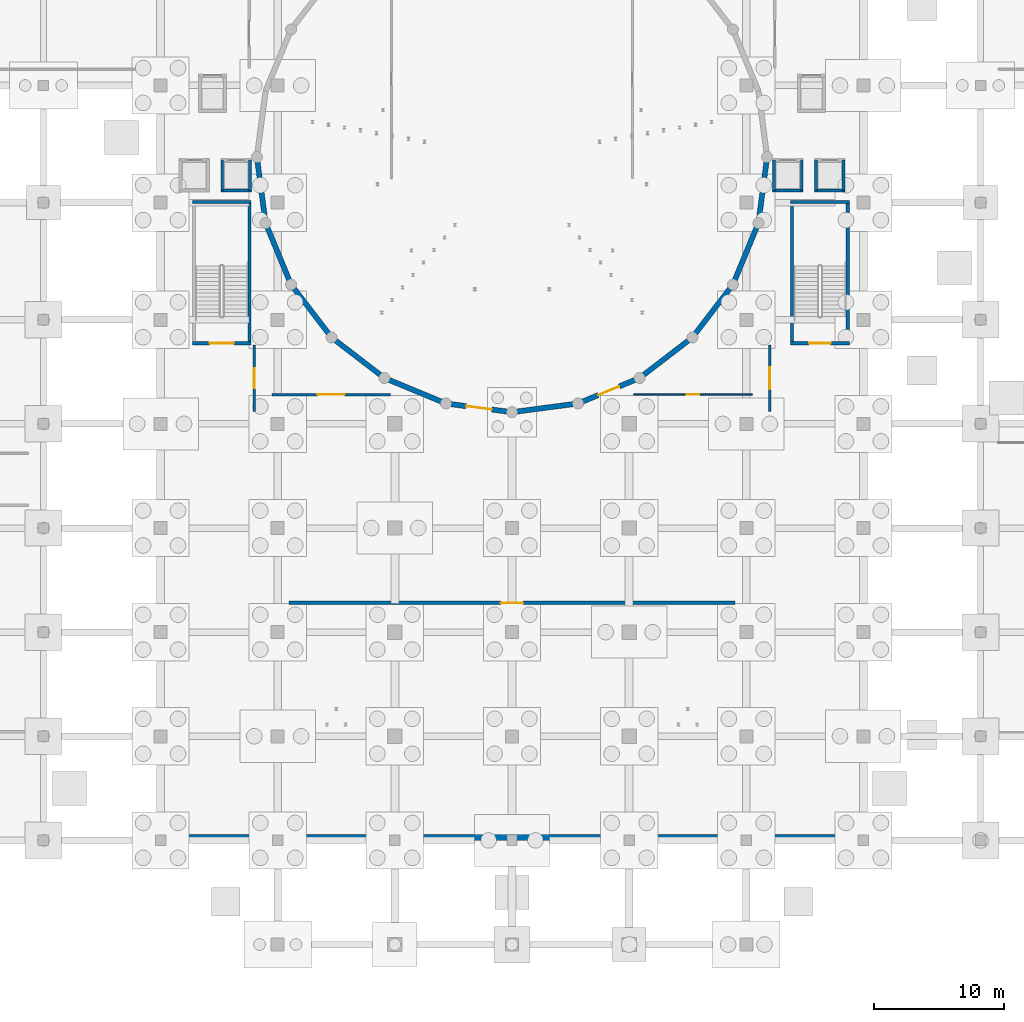
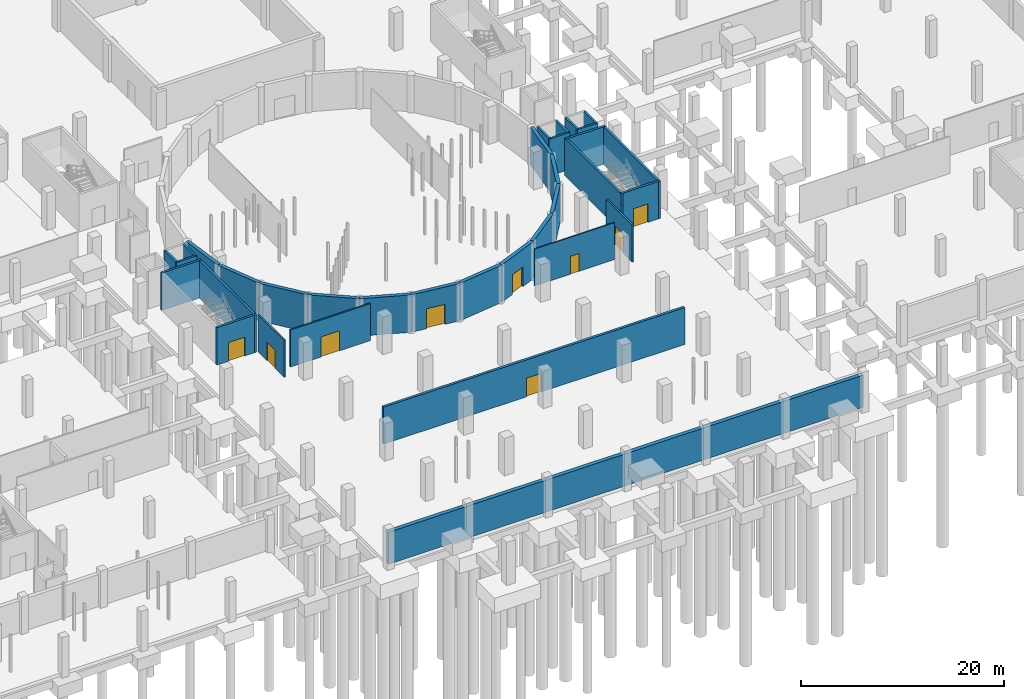
# One storey, part 28 of 40: 34 walls, 9 doors, 9 openings.
"""IFC4 building model written with IfcOpenShell, lengths in metres."""

from ifc_helpers import new_model, si_unit, direction, frame, frame_2d, origin, place, context, subcontext, project, spatial, rectangle, extrude, material, layer, layer_set, type_object, element, fill, save


model = new_model("IFC4")

# Units and contexts
model_context = context("Model", 3, precision=1e-05, world=origin(), true_north=direction((0.0, 1.0)))
body_context = subcontext(model_context, "Body", "Model", "MODEL_VIEW")
ifc_project = project(units=[si_unit("LENGTHUNIT", "METRE"), si_unit("AREAUNIT", "SQUARE_METRE"), si_unit("VOLUMEUNIT", "CUBIC_METRE"), si_unit("PLANEANGLEUNIT", "RADIAN"), si_unit("MASSUNIT", "GRAM", prefix="KILO")], contexts=[model_context])

# Site, building, storey
site_placement = place(None, origin())
site = spatial("IfcSite", under=ifc_project, at=site_placement, CompositionType="ELEMENT")
building_placement = place(site_placement, origin())
building = spatial("IfcBuilding", under=site, at=building_placement, Name="Marnock Terrace Opera House", CompositionType="ELEMENT")
storey_placement = place(building_placement, frame((0.0, 0.0, -4.800048828125)))
storey = spatial("IfcBuildingStorey", under=building, at=storey_placement, Name="B1", CompositionType="ELEMENT", Elevation=-4.800048828125)

# Wall, opening, door
ifc_material_1 = material(Name="Double-stud acoustic plasterboard with mineral-wool infill")
ifc_layer_1 = layer(ifc_material_1, 0.280029296875)
ifc_layer_set_1 = layer_set([ifc_layer_1], Name="Double-stud acoustic plasterboard with mineral-wool infill")
wall_type_1 = type_object("IfcWallType", Name="IW-ACOUSTIC-280", PredefinedType="PARTITIONING", material=ifc_layer_set_1)
wall_1_placement = place(storey_placement, frame((64.85009765625, 26.25, 0.0), z_axis=(0.0, 0.0, 1.0), x_axis=(1.0, 0.0, 0.0)))
wall_1 = element("IfcWall", 1, at=wall_1_placement, inside=storey, type_object=wall_type_1, Name="B1 Central Acoustic Chiller Plant Room acoustic partition wall", PredefinedType="PARTITIONING", context=body_context, shape_type="SweptSolid", body=[
    extrude(rectangle(XDim=34.2998046875, YDim=0.280029296875, at=frame_2d((17.14990234375, 0.0))), origin(), (0.0, 0.0, 1.0), 4.449951171875),
])
opening_1_placement = place(wall_1_placement, frame((16.300048828125, 0.0, 0.0)))
opening_1 = element("IfcOpeningElement", 2, at=opening_1_placement, cuts=wall_1, Name="Opening D-B1-07", PredefinedType="OPENING", context=body_context, shape_type="SweptSolid", body=[
    extrude(rectangle(XDim=1.699951171875, YDim=2.25, at=frame_2d((0.85009765625, 1.125))), frame((0.0, 0.14990234375, 0.0), z_axis=(0.0, -1.0, 0.0), x_axis=(1.0, 0.0, 0.0)), (0.0, 0.0, 1.0), 0.300048828125),
])
ifc_material_2 = material(Name="Fire-rated acoustic timber-core door assembly", Category="wood")
door_type_1 = type_object("IfcDoorType", Name="DT-PLANT-1700", OperationType="NOTDEFINED", PredefinedType="DOOR", material=ifc_material_2)
door_1_placement = place(opening_1_placement, origin())
door_1 = element("IfcDoor", 3, at=door_1_placement, inside=storey, type_object=door_type_1, Name="B1 Central Acoustic Chiller Plant Room entrance door", OperationType="SINGLE_SWING_RIGHT", OverallHeight=2.25, OverallWidth=1.699951171875, PredefinedType="DOOR", context=body_context, shape_type="SweptSolid", body=[
    extrude(rectangle(XDim=1.699951171875, YDim=2.25, at=frame_2d((0.85009765625, 1.125))), frame((0.0, 0.02490234375, 0.0), z_axis=(0.0, -1.0, 0.0), x_axis=(1.0, 0.0, 0.0)), (0.0, 0.0, 1.0), 0.050048828125),
])
fill(opening_1, door_1)

ifc_material_3 = material(Name="Rendered acoustic concrete blockwork", Category="masonry")
ifc_layer_2 = layer(ifc_material_3, 0.175048828125)
ifc_layer_set_2 = layer_set([ifc_layer_2], Name="Rendered acoustic concrete blockwork")
wall_type_2 = type_object("IfcWallType", Name="IW-FIRE-175", PredefinedType="PARTITIONING", material=ifc_layer_set_2)
wall_2_placement = place(storey_placement, frame((62.199951171875, 40.949951171875, 0.0), z_axis=(0.0, 0.0, 1.0), x_axis=(0.0, 1.0, 0.0)))
wall_2 = element("IfcWall", 4, at=wall_2_placement, inside=storey, type_object=wall_type_2, Name="B1 C1 fire-rated lift and stair lobby wall", PredefinedType="PARTITIONING", context=body_context, shape_type="SweptSolid", body=[
    extrude(rectangle(XDim=5.10009765625, YDim=0.175048828125, at=frame_2d((2.550048828125, 0.0))), origin(), (0.0, 0.0, 1.0), 4.449951171875),
])
opening_2_placement = place(wall_2_placement, frame((1.77490234375, 0.0, 0.0)))
opening_2 = element("IfcOpeningElement", 5, at=opening_2_placement, cuts=wall_2, Name="Opening FD-C1-B1", PredefinedType="OPENING", context=body_context, shape_type="SweptSolid", body=[
    extrude(rectangle(XDim=1.550048828125, YDim=2.219970703125, at=frame_2d((0.77490234375, 1.10986328125))), frame((0.0, 0.097412109375, 0.0), z_axis=(0.0, -1.0, 0.0), x_axis=(1.0, 0.0, 0.0)), (0.0, 0.0, 1.0), 0.195068359375),
])
door_type_2 = type_object("IfcDoorType", Name="DT-LOBBY-1550", OperationType="NOTDEFINED", PredefinedType="DOOR", material=ifc_material_2)
door_2_placement = place(opening_2_placement, origin())
door_2 = element("IfcDoor", 6, at=door_2_placement, inside=storey, type_object=door_type_2, Name="B1 C1 lobby self-closing smoke door", OperationType="SINGLE_SWING_RIGHT", OverallHeight=2.219970703125, OverallWidth=1.550048828125, PredefinedType="DOOR", context=body_context, shape_type="SweptSolid", body=[
    extrude(rectangle(XDim=1.550048828125, YDim=2.219970703125, at=frame_2d((0.77490234375, 1.10986328125))), frame((0.0, 0.02490234375, 0.0), z_axis=(0.0, -1.0, 0.0), x_axis=(1.0, 0.0, 0.0)), (0.0, 0.0, 1.0), 0.050048828125),
])
fill(opening_2, door_2)

wall_3_placement = place(storey_placement, frame((63.550048828125, 42.25, 0.0), z_axis=(0.0, 0.0, 1.0), x_axis=(1.0, 0.0, 0.0)))
wall_3 = element("IfcWall", 7, at=wall_3_placement, inside=storey, type_object=wall_type_2, Name="B1 Musicians Warm-up Room acoustic partition wall", PredefinedType="PARTITIONING", context=body_context, shape_type="SweptSolid", body=[
    extrude(rectangle(XDim=9.099853515625, YDim=0.175048828125, at=frame_2d((4.5498046875, 0.0))), origin(), (0.0, 0.0, 1.0), 4.449951171875),
])
opening_3_placement = place(wall_3_placement, frame((3.5, 0.0, 0.0)))
opening_3 = element("IfcOpeningElement", 8, at=opening_3_placement, cuts=wall_3, Name="Opening D-B1-03", PredefinedType="OPENING", context=body_context, shape_type="SweptSolid", body=[
    extrude(rectangle(XDim=2.10009765625, YDim=2.419921875, at=frame_2d((1.050048828125, 1.2099609375))), frame((0.0, 0.097412109375, 0.0), z_axis=(0.0, -1.0, 0.0), x_axis=(1.0, 0.0, 0.0)), (0.0, 0.0, 1.0), 0.195068359375),
])
ifc_material_4 = material(Name="Solid-core Tasmanian oak acoustic door leaf")
door_type_3 = type_object("IfcDoorType", Name="DT-REHEARS-2100", OperationType="NOTDEFINED", PredefinedType="DOOR", material=ifc_material_4)
door_3_placement = place(opening_3_placement, origin())
door_3 = element("IfcDoor", 9, at=door_3_placement, inside=storey, type_object=door_type_3, Name="B1 Musicians Warm-up Room entrance door", OperationType="DOUBLE_DOOR_SINGLE_SWING", OverallHeight=2.419921875, OverallWidth=2.10009765625, PredefinedType="DOOR", context=body_context, shape_type="SweptSolid", body=[
    extrude(rectangle(XDim=2.10009765625, YDim=2.419921875, at=frame_2d((1.050048828125, 1.2099609375))), frame((0.0, 0.02490234375, 0.0), z_axis=(0.0, -1.0, 0.0), x_axis=(1.0, 0.0, 0.0)), (0.0, 0.0, 1.0), 0.050048828125),
])
fill(opening_3, door_3)

ifc_layer_3 = layer(ifc_material_3, 0.18505859375)
ifc_layer_set_3 = layer_set([ifc_layer_3], Name="Rendered acoustic concrete blockwork")
wall_type_3 = type_object("IfcWallType", Name="IW-FIRE-185", PredefinedType="PARTITIONING", material=ifc_layer_set_3)
wall_4_placement = place(storey_placement, frame((101.800048828125, 40.949951171875, 0.0), z_axis=(0.0, 0.0, 1.0), x_axis=(0.0, 1.0, 0.0)))
wall_4 = element("IfcWall", 10, at=wall_4_placement, inside=storey, type_object=wall_type_3, Name="B1 C2 fire-rated lift and stair lobby wall", PredefinedType="PARTITIONING", context=body_context, shape_type="SweptSolid", body=[
    extrude(rectangle(XDim=5.10009765625, YDim=0.18505859375, at=frame_2d((2.550048828125, 0.0))), origin(), (0.0, 0.0, 1.0), 4.449951171875),
])
opening_4_placement = place(wall_4_placement, frame((1.7099609375, 0.0, 0.0)))
opening_4 = element("IfcOpeningElement", 11, at=opening_4_placement, cuts=wall_4, Name="Opening FD-C2-B1", PredefinedType="OPENING", context=body_context, shape_type="SweptSolid", body=[
    extrude(rectangle(XDim=1.679931640625, YDim=2.25, at=frame_2d((0.83984375, 1.125))), frame((0.0, 0.1025390625, 0.0), z_axis=(0.0, -1.0, 0.0), x_axis=(1.0, 0.0, 0.0)), (0.0, 0.0, 1.0), 0.205078125),
])
door_type_4 = type_object("IfcDoorType", Name="DT-LOBBY-1680", OperationType="NOTDEFINED", PredefinedType="DOOR", material=ifc_material_2)
door_4_placement = place(opening_4_placement, origin())
door_4 = element("IfcDoor", 12, at=door_4_placement, inside=storey, type_object=door_type_4, Name="B1 C2 lobby self-closing smoke door", OperationType="SINGLE_SWING_RIGHT", OverallHeight=2.25, OverallWidth=1.679931640625, PredefinedType="DOOR", context=body_context, shape_type="SweptSolid", body=[
    extrude(rectangle(XDim=1.679931640625, YDim=2.25, at=frame_2d((0.83984375, 1.125))), frame((0.0, 0.02490234375, 0.0), z_axis=(0.0, -1.0, 0.0), x_axis=(1.0, 0.0, 0.0)), (0.0, 0.0, 1.0), 0.050048828125),
])
fill(opening_4, door_4)

ifc_layer_4 = layer(ifc_material_1, 0.117919921875)
ifc_layer_set_4 = layer_set([ifc_layer_4], Name="Double-stud acoustic plasterboard with mineral-wool infill")
wall_type_4 = type_object("IfcWallType", Name="IW-PART-118", PredefinedType="PARTITIONING", material=ifc_layer_set_4)
wall_5_placement = place(storey_placement, frame((91.35009765625, 42.25, 0.0), z_axis=(0.0, 0.0, 1.0), x_axis=(1.0, 0.0, 0.0)))
wall_5 = element("IfcWall", 13, at=wall_5_placement, inside=storey, type_object=wall_type_4, Name="B1 Orchestra Instrument Store acoustic partition wall", PredefinedType="PARTITIONING", context=body_context, shape_type="SweptSolid", body=[
    extrude(rectangle(XDim=9.099853515625, YDim=0.117919921875, at=frame_2d((4.5498046875, 0.0))), origin(), (0.0, 0.0, 1.0), 4.449951171875),
])
opening_5_placement = place(wall_5_placement, frame((4.070068359375, 0.0, 0.0)))
opening_5 = element("IfcOpeningElement", 14, at=opening_5_placement, cuts=wall_5, Name="Opening D-B1-04", PredefinedType="OPENING", context=body_context, shape_type="SweptSolid", body=[
    extrude(rectangle(XDim=0.9599609375, YDim=2.14990234375, at=frame_2d((0.47998046875, 1.074951171875))), frame((0.0, 0.06884765625, 0.0), z_axis=(0.0, -1.0, 0.0), x_axis=(1.0, 0.0, 0.0)), (0.0, 0.0, 1.0), 0.137939453125),
])
door_type_5 = type_object("IfcDoorType", Name="DT-ROOM-960", OperationType="NOTDEFINED", PredefinedType="DOOR", material=ifc_material_4)
door_5_placement = place(opening_5_placement, origin())
door_5 = element("IfcDoor", 15, at=door_5_placement, inside=storey, type_object=door_type_5, Name="B1 Orchestra Instrument Store entrance door", OperationType="SINGLE_SWING_LEFT", OverallHeight=2.14990234375, OverallWidth=0.9599609375, PredefinedType="DOOR", context=body_context, shape_type="SweptSolid", body=[
    extrude(rectangle(XDim=0.9599609375, YDim=2.14990234375, at=frame_2d((0.47998046875, 1.074951171875))), frame((0.0, 0.02490234375, 0.0), z_axis=(0.0, -1.0, 0.0), x_axis=(1.0, 0.0, 0.0)), (0.0, 0.0, 1.0), 0.050048828125),
])
fill(opening_5, door_5)

# Walls
ifc_layer_5 = layer(ifc_material_3, 0.22509765625)
ifc_layer_set_5 = layer_set([ifc_layer_5], Name="Rendered acoustic concrete blockwork")
wall_type_5 = type_object("IfcWallType", Name="IW-SHAFT-225", PredefinedType="SOLIDWALL", material=ifc_layer_set_5)
wall_6_placement = place(storey_placement, frame((59.62744140625, 57.93994140625, 0.0), z_axis=(0.0, 0.0, 1.0), x_axis=(1.0, 0.0, 0.0)))
element("IfcWall", 16, at=wall_6_placement, inside=storey, type_object=wall_type_5, Name="B1 Lift PL-02 rear shaft wall", PredefinedType="SOLIDWALL", context=body_context, shape_type="SweptSolid", body=[
    extrude(rectangle(XDim=2.344970703125, YDim=0.22509765625, at=frame_2d((1.17236328125, 0.0))), origin(), (0.0, 0.0, 1.0), 4.449951171875),
])
for number, where, z_axis, x_axis, name in (
    (17, (59.739990234375, 57.93994140625, 0.0), (0.0, 0.0, 1.0), (0.0, 1.0, 0.0), "B1 Lift PL-02 west shaft wall"),
    (18, (61.860107421875, 57.93994140625, 0.0), (0.0, 0.0, 1.0), (0.0, 1.0, 0.0), "B1 Lift PL-02 east shaft wall"),
):
    element("IfcWall", number, at=place(storey_placement, frame(where, z_axis=z_axis, x_axis=x_axis)), inside=storey, type_object=wall_type_5, Name=name, PredefinedType="SOLIDWALL", context=body_context, shape_type="SweptSolid", body=[
        extrude(rectangle(XDim=2.320068359375, YDim=0.22509765625, at=frame_2d((1.16015625, 0.0))), origin(), (0.0, 0.0, 1.0), 4.449951171875),
    ])
wall_7_placement = place(storey_placement, frame((102.027587890625, 57.93994140625, 0.0), z_axis=(0.0, 0.0, 1.0), x_axis=(1.0, 0.0, 0.0)))
element("IfcWall", 19, at=wall_7_placement, inside=storey, type_object=wall_type_5, Name="B1 Lift PL-03 rear shaft wall", PredefinedType="SOLIDWALL", context=body_context, shape_type="SweptSolid", body=[
    extrude(rectangle(XDim=2.344970703125, YDim=0.22509765625, at=frame_2d((1.17236328125, 0.0))), origin(), (0.0, 0.0, 1.0), 4.449951171875),
])
for number, where, z_axis, x_axis, name in (
    (20, (102.139892578125, 57.93994140625, 0.0), (0.0, 0.0, 1.0), (0.0, 1.0, 0.0), "B1 Lift PL-03 west shaft wall"),
    (21, (104.260009765625, 57.93994140625, 0.0), (0.0, 0.0, 1.0), (0.0, 1.0, 0.0), "B1 Lift PL-03 east shaft wall"),
):
    element("IfcWall", number, at=place(storey_placement, frame(where, z_axis=z_axis, x_axis=x_axis)), inside=storey, type_object=wall_type_5, Name=name, PredefinedType="SOLIDWALL", context=body_context, shape_type="SweptSolid", body=[
        extrude(rectangle(XDim=2.320068359375, YDim=0.22509765625, at=frame_2d((1.16015625, 0.0))), origin(), (0.0, 0.0, 1.0), 4.449951171875),
    ])
wall_8_placement = place(storey_placement, frame((105.2275390625, 57.93994140625, 0.0), z_axis=(0.0, 0.0, 1.0), x_axis=(1.0, 0.0, 0.0)))
element("IfcWall", 22, at=wall_8_placement, inside=storey, type_object=wall_type_5, Name="B1 Lift PL-04 rear shaft wall", PredefinedType="SOLIDWALL", context=body_context, shape_type="SweptSolid", body=[
    extrude(rectangle(XDim=2.344970703125, YDim=0.22509765625, at=frame_2d((1.17236328125, 0.0))), origin(), (0.0, 0.0, 1.0), 4.449951171875),
])
for number, where, z_axis, x_axis, name in (
    (23, (105.340087890625, 57.93994140625, 0.0), (0.0, 0.0, 1.0), (0.0, 1.0, 0.0), "B1 Lift PL-04 west shaft wall"),
    (24, (107.4599609375, 57.93994140625, 0.0), (0.0, 0.0, 1.0), (0.0, 1.0, 0.0), "B1 Lift PL-04 east shaft wall"),
):
    element("IfcWall", number, at=place(storey_placement, frame(where, z_axis=z_axis, x_axis=x_axis)), inside=storey, type_object=wall_type_5, Name=name, PredefinedType="SOLIDWALL", context=body_context, shape_type="SweptSolid", body=[
        extrude(rectangle(XDim=2.320068359375, YDim=0.22509765625, at=frame_2d((1.16015625, 0.0))), origin(), (0.0, 0.0, 1.0), 4.449951171875),
    ])

# Wall, opening, door
ifc_material_5 = material(Name="Concrete N40 (f'c = 40 MPa)", Category="concrete")
ifc_layer_6 = layer(ifc_material_5, 0.25)
ifc_layer_set_6 = layer_set([ifc_layer_6], Name="Concrete N40 (f'c = 40 MPa)")
wall_type_6 = type_object("IfcWallType", Name="SW-CORE-250", PredefinedType="SHEAR", material=ifc_layer_set_6)
wall_9_placement = place(storey_placement, frame((57.43505859375, 46.199951171875, 0.0), z_axis=(0.0, 0.0, 1.0), x_axis=(1.0, 0.0, 0.0)))
wall_9 = element("IfcWall", 25, at=wall_9_placement, inside=storey, type_object=wall_type_6, Name="B1 Core C1 FRL 120/120/120 shear wall S", PredefinedType="SHEAR", context=body_context, shape_type="SweptSolid", body=[
    extrude(rectangle(XDim=4.530029296875, YDim=0.25, at=frame_2d((2.26513671875, 0.0))), origin(), (0.0, 0.0, 1.0), 4.5),
])
opening_6_placement = place(wall_9_placement, frame((1.340087890625, 0.0, 0.0)))
opening_6 = element("IfcOpeningElement", 26, at=opening_6_placement, cuts=wall_9, Name="Opening SD-C1-B1", PredefinedType="OPENING", context=body_context, shape_type="SweptSolid", body=[
    extrude(rectangle(XDim=1.85009765625, YDim=2.25, at=frame_2d((0.925048828125, 1.125))), frame((0.0, 0.135009765625, 0.0), z_axis=(0.0, -1.0, 0.0), x_axis=(1.0, 0.0, 0.0)), (0.0, 0.0, 1.0), 0.27001953125),
])
door_type_6 = type_object("IfcDoorType", Name="DT-STAIR-1850", OperationType="NOTDEFINED", PredefinedType="DOOR", material=ifc_material_2)
door_6_placement = place(opening_6_placement, origin())
door_6 = element("IfcDoor", 27, at=door_6_placement, inside=storey, type_object=door_type_6, Name="B1 Stair ST-01 fire-isolated exit door", OperationType="SINGLE_SWING_LEFT", OverallHeight=2.25, OverallWidth=1.85009765625, PredefinedType="DOOR", context=body_context, shape_type="SweptSolid", body=[
    extrude(rectangle(XDim=1.85009765625, YDim=2.25, at=frame_2d((0.925048828125, 1.125))), frame((0.0, 0.02490234375, 0.0), z_axis=(0.0, -1.0, 0.0), x_axis=(1.0, 0.0, 0.0)), (0.0, 0.0, 1.0), 0.050048828125),
])
fill(opening_6, door_6)

# Walls
wall_10_placement = place(storey_placement, frame((57.43505859375, 57.0400390625, 0.0), z_axis=(0.0, 0.0, 1.0), x_axis=(1.0, 0.0, 0.0)))
element("IfcWall", 28, at=wall_10_placement, inside=storey, type_object=wall_type_6, Name="B1 Core C1 FRL 120/120/120 shear wall N", PredefinedType="SHEAR", context=body_context, shape_type="SweptSolid", body=[
    extrude(rectangle(XDim=4.530029296875, YDim=0.25, at=frame_2d((2.26513671875, 0.0))), origin(), (0.0, 0.0, 1.0), 4.5),
])
wall_11_placement = place(storey_placement, frame((61.840087890625, 46.074951171875, 0.0), z_axis=(0.0, 0.0, 1.0), x_axis=(0.0, 1.0, 0.0)))
element("IfcWall", 29, at=wall_11_placement, inside=storey, type_object=wall_type_6, Name="B1 Core C1 FRL 120/120/120 shear wall E", PredefinedType="SHEAR", context=body_context, shape_type="SweptSolid", body=[
    extrude(rectangle(XDim=11.090087890625, YDim=0.25, at=frame_2d((5.544921875, 0.0))), origin(), (0.0, 0.0, 1.0), 4.5),
])

# Wall, opening, door
wall_12_placement = place(storey_placement, frame((103.39501953125, 46.199951171875, 0.0), z_axis=(0.0, 0.0, 1.0), x_axis=(1.0, 0.0, 0.0)))
wall_12 = element("IfcWall", 30, at=wall_12_placement, inside=storey, type_object=wall_type_6, Name="B1 Core C2 FRL 120/120/120 shear wall S", PredefinedType="SHEAR", context=body_context, shape_type="SweptSolid", body=[
    extrude(rectangle(XDim=4.530029296875, YDim=0.25, at=frame_2d((2.26513671875, 0.0))), origin(), (0.0, 0.0, 1.0), 4.5),
])
opening_7_placement = place(wall_12_placement, frame((1.43994140625, 0.0, 0.0)))
opening_7 = element("IfcOpeningElement", 31, at=opening_7_placement, cuts=wall_12, Name="Opening SD-C2-B1", PredefinedType="OPENING", context=body_context, shape_type="SweptSolid", body=[
    extrude(rectangle(XDim=1.64990234375, YDim=2.219970703125, at=frame_2d((0.824951171875, 1.10986328125))), frame((0.0, 0.135009765625, 0.0), z_axis=(0.0, -1.0, 0.0), x_axis=(1.0, 0.0, 0.0)), (0.0, 0.0, 1.0), 0.27001953125),
])
door_type_7 = type_object("IfcDoorType", Name="DT-STAIR-1650", OperationType="NOTDEFINED", PredefinedType="DOOR", material=ifc_material_2)
door_7_placement = place(opening_7_placement, origin())
door_7 = element("IfcDoor", 32, at=door_7_placement, inside=storey, type_object=door_type_7, Name="B1 Stair ST-02 fire-isolated exit door", OperationType="SINGLE_SWING_LEFT", OverallHeight=2.219970703125, OverallWidth=1.64990234375, PredefinedType="DOOR", context=body_context, shape_type="SweptSolid", body=[
    extrude(rectangle(XDim=1.64990234375, YDim=2.219970703125, at=frame_2d((0.824951171875, 1.10986328125))), frame((0.0, 0.02490234375, 0.0), z_axis=(0.0, -1.0, 0.0), x_axis=(1.0, 0.0, 0.0)), (0.0, 0.0, 1.0), 0.050048828125),
])
fill(opening_7, door_7)

# Walls
wall_13_placement = place(storey_placement, frame((103.39501953125, 57.0400390625, 0.0), z_axis=(0.0, 0.0, 1.0), x_axis=(1.0, 0.0, 0.0)))
element("IfcWall", 33, at=wall_13_placement, inside=storey, type_object=wall_type_6, Name="B1 Core C2 FRL 120/120/120 shear wall N", PredefinedType="SHEAR", context=body_context, shape_type="SweptSolid", body=[
    extrude(rectangle(XDim=4.530029296875, YDim=0.25, at=frame_2d((2.26513671875, 0.0))), origin(), (0.0, 0.0, 1.0), 4.5),
])
for number, where, z_axis, x_axis, name in (
    (34, (103.52001953125, 46.074951171875, 0.0), (0.0, 0.0, 1.0), (0.0, 1.0, 0.0), "B1 Core C2 FRL 120/120/120 shear wall W"),
    (35, (107.800048828125, 46.074951171875, 0.0), (0.0, 0.0, 1.0), (0.0, 1.0, 0.0), "B1 Core C2 FRL 120/120/120 shear wall E"),
):
    element("IfcWall", number, at=place(storey_placement, frame(where, z_axis=z_axis, x_axis=x_axis)), inside=storey, type_object=wall_type_6, Name=name, PredefinedType="SHEAR", context=body_context, shape_type="SweptSolid", body=[
        extrude(rectangle(XDim=11.090087890625, YDim=0.25, at=frame_2d((5.544921875, 0.0))), origin(), (0.0, 0.0, 1.0), 4.5),
    ])
ifc_material_6 = material(Name="Concrete N50 (f'c = 50 MPa)", Category="concrete")
ifc_layer_7 = layer(ifc_material_6, 0.39990234375)
ifc_layer_set_7 = layer_set([ifc_layer_7], Name="Concrete N50 (f'c = 50 MPa)")
wall_type_7 = type_object("IfcWallType", Name="SW-DRUM-400", PredefinedType="SHEAR", material=ifc_layer_set_7)
wall_14_placement = place(storey_placement, frame((62.39990234375, 60.5, 0.0), z_axis=(0.0, 0.0, 1.0), x_axis=(0.130591512704, -0.99143625958, 0.0)))
element("IfcWall", 36, at=wall_14_placement, inside=storey, type_object=wall_type_7, Name="B1 cylindrical auditorium drum shear wall 13", PredefinedType="SHEAR", context=body_context, shape_type="SweptSolid", body=[
    extrude(rectangle(XDim=5.11669921875, YDim=0.39990234375, at=frame_2d((2.558349609375, 0.0))), origin(), (0.0, 0.0, 1.0), 4.5),
])
for number, where, z_axis, x_axis, name in (
    (37, (63.068115234375, 55.427001953125, 0.0), (0.0, 0.0, 1.0), (0.382642581018, -0.923896452635, 0.0), "B1 cylindrical auditorium drum shear wall 14"),
    (38, (65.02587890625, 50.699951171875, 0.0), (0.0, 0.0, 1.0), (0.608857194409, -0.793279847731, 0.0), "B1 cylindrical auditorium drum shear wall 15"),
    (39, (68.14111328125, 46.64111328125, 0.0), (0.0, 0.0, 1.0), (0.793279847731, -0.608857194409, 0.0), "B1 cylindrical auditorium drum shear wall 16"),
    (40, (72.199951171875, 43.52587890625, 0.0), (0.0, 0.0, 1.0), (0.923896452635, -0.382642581018, 0.0), "B1 cylindrical auditorium drum shear wall 17"),
):
    element("IfcWall", number, at=place(storey_placement, frame(where, z_axis=z_axis, x_axis=x_axis)), inside=storey, type_object=wall_type_7, Name=name, PredefinedType="SHEAR", context=body_context, shape_type="SweptSolid", body=[
        extrude(rectangle(XDim=5.116455078125, YDim=0.39990234375, at=frame_2d((2.55810546875, 0.0))), origin(), (0.0, 0.0, 1.0), 4.5),
    ])

# Wall, opening, door
wall_15_placement = place(storey_placement, frame((76.927001953125, 41.568115234375, 0.0), z_axis=(0.0, 0.0, 1.0), x_axis=(0.99143625958, -0.130591512704, 0.0)))
wall_15 = element("IfcWall", 41, at=wall_15_placement, inside=storey, type_object=wall_type_7, Name="B1 cylindrical auditorium drum shear wall 18", PredefinedType="SHEAR", context=body_context, shape_type="SweptSolid", body=[
    extrude(rectangle(XDim=5.11669921875, YDim=0.39990234375, at=frame_2d((2.558349609375, 0.0))), origin(), (0.0, 0.0, 1.0), 4.5),
])
opening_8_placement = place(wall_15_placement, frame((1.58349609375, 0.0, 0.0)))
opening_8 = element("IfcOpeningElement", 42, at=opening_8_placement, cuts=wall_15, Name="Opening AD-B1-17", PredefinedType="OPENING", context=body_context, shape_type="SweptSolid", body=[
    extrude(rectangle(XDim=1.949951171875, YDim=2.39990234375, at=frame_2d((0.97509765625, 1.199951171875))), frame((0.0, 0.2099609375, 0.0), z_axis=(0.0, -1.0, 0.0), x_axis=(1.0, 0.0, 0.0)), (0.0, 0.0, 1.0), 0.419921875),
])
door_type_8 = type_object("IfcDoorType", Name="DT-AUD-1950", OperationType="NOTDEFINED", PredefinedType="DOOR", material=ifc_material_4)
door_8_placement = place(opening_8_placement, origin())
door_8 = element("IfcDoor", 43, at=door_8_placement, inside=storey, type_object=door_type_8, Name="B1 Auditorium sound-lock double door 17", OperationType="DOUBLE_DOOR_SINGLE_SWING", OverallHeight=2.39990234375, OverallWidth=1.949951171875, PredefinedType="DOOR", context=body_context, shape_type="SweptSolid", body=[
    extrude(rectangle(XDim=1.949951171875, YDim=2.39990234375, at=frame_2d((0.97509765625, 1.199951171875))), frame((0.0, 0.02490234375, 0.0), z_axis=(0.0, -1.0, 0.0), x_axis=(1.0, 0.0, 0.0)), (0.0, 0.0, 1.0), 0.050048828125),
])
fill(opening_8, door_8)

# Wall
wall_16_placement = place(storey_placement, frame((82.0, 40.89990234375, 0.0), z_axis=(0.0, 0.0, 1.0), x_axis=(0.99143625958, 0.130591512704, 0.0)))
element("IfcWall", 44, at=wall_16_placement, inside=storey, type_object=wall_type_7, Name="B1 cylindrical auditorium drum shear wall 19", PredefinedType="SHEAR", context=body_context, shape_type="SweptSolid", body=[
    extrude(rectangle(XDim=5.11669921875, YDim=0.39990234375, at=frame_2d((2.558349609375, 0.0))), origin(), (0.0, 0.0, 1.0), 4.5),
])

# Wall, opening, door
wall_17_placement = place(storey_placement, frame((87.072998046875, 41.568115234375, 0.0), z_axis=(0.0, 0.0, 1.0), x_axis=(0.923896452635, 0.382642581018, 0.0)))
wall_17 = element("IfcWall", 45, at=wall_17_placement, inside=storey, type_object=wall_type_7, Name="B1 cylindrical auditorium drum shear wall 20", PredefinedType="SHEAR", context=body_context, shape_type="SweptSolid", body=[
    extrude(rectangle(XDim=5.116455078125, YDim=0.39990234375, at=frame_2d((2.55810546875, 0.0))), origin(), (0.0, 0.0, 1.0), 4.5),
])
opening_9_placement = place(wall_17_placement, frame((1.68310546875, 0.0, 0.0)))
opening_9 = element("IfcOpeningElement", 46, at=opening_9_placement, cuts=wall_17, Name="Opening AD-B1-19", PredefinedType="OPENING", context=body_context, shape_type="SweptSolid", body=[
    extrude(rectangle(XDim=1.75, YDim=2.35009765625, at=frame_2d((0.875, 1.175048828125))), frame((0.0, 0.2099609375, 0.0), z_axis=(0.0, -1.0, 0.0), x_axis=(1.0, 0.0, 0.0)), (0.0, 0.0, 1.0), 0.419921875),
])
door_type_9 = type_object("IfcDoorType", Name="DT-AUD-1750", OperationType="NOTDEFINED", PredefinedType="DOOR", material=ifc_material_4)
door_9_placement = place(opening_9_placement, origin())
door_9 = element("IfcDoor", 47, at=door_9_placement, inside=storey, type_object=door_type_9, Name="B1 Auditorium sound-lock double door 19", OperationType="DOUBLE_DOOR_SINGLE_SWING", OverallHeight=2.35009765625, OverallWidth=1.75, PredefinedType="DOOR", context=body_context, shape_type="SweptSolid", body=[
    extrude(rectangle(XDim=1.75, YDim=2.35009765625, at=frame_2d((0.875, 1.175048828125))), frame((0.0, 0.02490234375, 0.0), z_axis=(0.0, -1.0, 0.0), x_axis=(1.0, 0.0, 0.0)), (0.0, 0.0, 1.0), 0.050048828125),
])
fill(opening_9, door_9)

# Walls
for number, where, z_axis, x_axis, name in (
    (48, (91.800048828125, 43.52587890625, 0.0), (0.0, 0.0, 1.0), (0.793279847731, 0.608857194409, 0.0), "B1 cylindrical auditorium drum shear wall 21"),
    (49, (95.85888671875, 46.64111328125, 0.0), (0.0, 0.0, 1.0), (0.608857194409, 0.793279847731, 0.0), "B1 cylindrical auditorium drum shear wall 22"),
    (50, (98.97412109375, 50.699951171875, 0.0), (0.0, 0.0, 1.0), (0.382642581018, 0.923896452635, 0.0), "B1 cylindrical auditorium drum shear wall 23"),
):
    element("IfcWall", number, at=place(storey_placement, frame(where, z_axis=z_axis, x_axis=x_axis)), inside=storey, type_object=wall_type_7, Name=name, PredefinedType="SHEAR", context=body_context, shape_type="SweptSolid", body=[
        extrude(rectangle(XDim=5.116455078125, YDim=0.39990234375, at=frame_2d((2.55810546875, 0.0))), origin(), (0.0, 0.0, 1.0), 4.5),
    ])
wall_18_placement = place(storey_placement, frame((100.931884765625, 55.427001953125, 0.0), z_axis=(0.0, 0.0, 1.0), x_axis=(0.130591512704, 0.99143625958, 0.0)))
element("IfcWall", 51, at=wall_18_placement, inside=storey, type_object=wall_type_7, Name="B1 cylindrical auditorium drum shear wall 24", PredefinedType="SHEAR", context=body_context, shape_type="SweptSolid", body=[
    extrude(rectangle(XDim=5.11669921875, YDim=0.39990234375, at=frame_2d((2.558349609375, 0.0))), origin(), (0.0, 0.0, 1.0), 4.5),
])
ifc_layer_8 = layer(ifc_material_5, 0.43994140625)
ifc_layer_set_8 = layer_set([ifc_layer_8], Name="Concrete N40 (f'c = 40 MPa)")
wall_type_8 = type_object("IfcWallType", Name="SW-RET-440", PredefinedType="USERDEFINED", material=ifc_layer_set_8)
wall_19_placement = place(storey_placement, frame((55.0, 8.219970703125, 0.0), z_axis=(0.0, 0.0, 1.0), x_axis=(1.0, 0.0, 0.0)))
element("IfcWall", 52, at=wall_19_placement, inside=storey, type_object=wall_type_8, Name="Basement B1 perimeter retaining wall RW-B1-S2", ObjectType="RETAINING WALL", PredefinedType="USERDEFINED", context=body_context, shape_type="SweptSolid", body=[
    extrude(rectangle(XDim=54.0, YDim=0.43994140625, at=frame_2d((27.0, 0.0))), origin(), (0.0, 0.0, 1.0), 3.85009765625),
])

save(model, "model.ifc")
